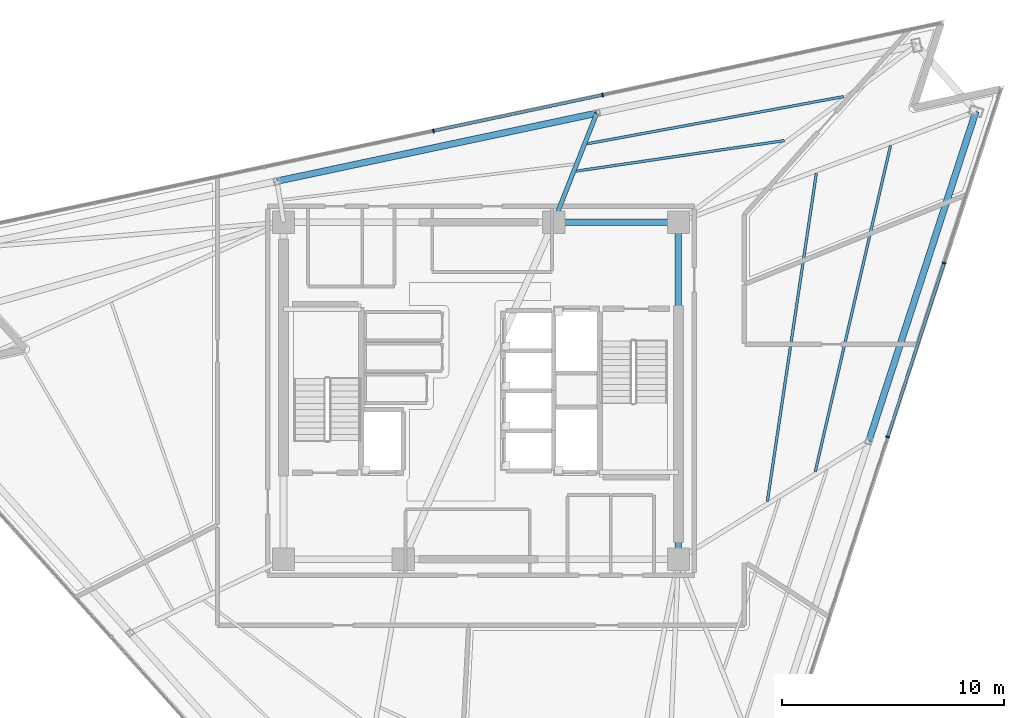
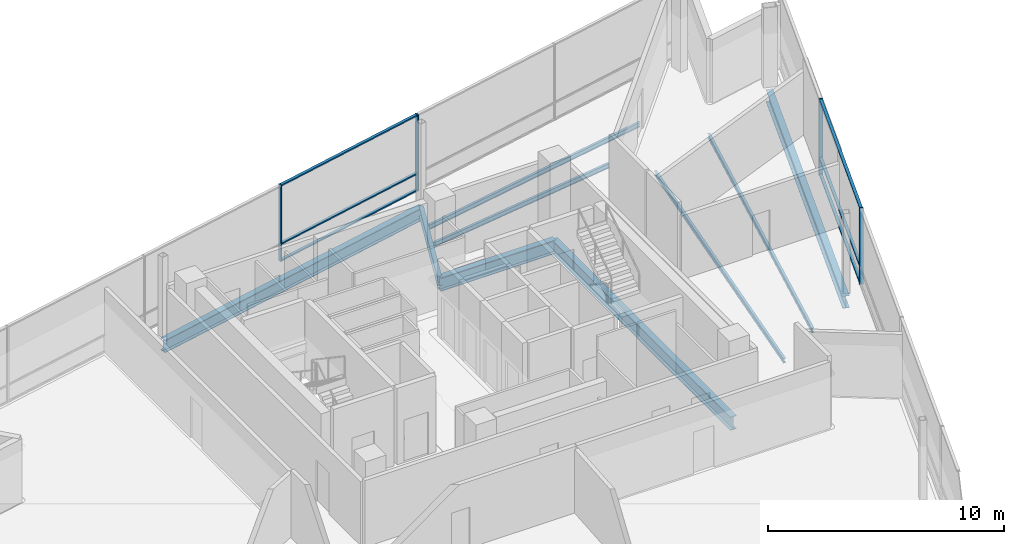
# One storey, part 8 of 17: 10 members, 9 beams, 2 elements without a shape of their own.
"""IFC4 building model written with IfcOpenShell, lengths in metres."""

from ifc_helpers import new_model, si_unit, direction, frame, origin, origin_2d, place, context, subcontext, project, spatial, rectangle, i_section, extrude, material, layer, layer_set, material_profile, profile_set, type_object, element, aggregate, save


model = new_model("IFC4")

# Units and contexts
model_context = context("Model", 3, precision=1e-05, world=origin(), true_north=direction((0.0, 1.0)))
body_context = subcontext(model_context, "Body", "Model", "MODEL_VIEW")
ifc_project = project(units=[si_unit("LENGTHUNIT", "METRE"), si_unit("AREAUNIT", "SQUARE_METRE"), si_unit("VOLUMEUNIT", "CUBIC_METRE"), si_unit("PLANEANGLEUNIT", "RADIAN"), si_unit("MASSUNIT", "GRAM", prefix="KILO")], contexts=[model_context])

# Site, building, storey
site_placement = place(None, origin())
site = spatial("IfcSite", under=ifc_project, at=site_placement, CompositionType="ELEMENT")
building_placement = place(site_placement, origin())
building = spatial("IfcBuilding", under=site, at=building_placement, Name="Tharavind Bronze Gate", CompositionType="ELEMENT")
storey_placement = place(building_placement, frame((0.0, 0.0, 298.0)))
storey = spatial("IfcBuildingStorey", under=building, at=storey_placement, Name="L77", CompositionType="ELEMENT", Elevation=298.0)

# Curtain wall, members
ifc_material_1 = material(Name="Anodised Bronze Aluminium", Category="aluminium")
ifc_layer = layer(ifc_material_1, 0.219970703125)
ifc_layer_set = layer_set([ifc_layer], Name="Anodised Bronze Aluminium")
curtain_wall_type = type_object("IfcCurtainWallType", Name="UNITISED CURTAIN WALL CROWN", PredefinedType="USERDEFINED", material=ifc_layer_set)
curtain_wall_1_placement = place(storey_placement, origin())
curtain_wall_1 = element("IfcCurtainWall", 1, at=curtain_wall_1_placement, inside=storey, type_object=curtain_wall_type, Name="L77 unitised curtain wall crown CW-L77-S2", ObjectType="UNITISED CURTAIN WALL", PredefinedType="USERDEFINED")
member_type_1 = type_object("IfcMemberType", Name="CURTAIN WALL BRONZE MULLION 65X180", PredefinedType="MULLION", material=ifc_material_1)
member_1_placement = place(storey_placement, frame((18.336181640625, -2.08544921875, 0.0), z_axis=(0.0, 0.0, 1.0), x_axis=(0.309016994375, 0.951056516295, 0.0)))
member_1 = element("IfcMember", 2, at=member_1_placement, type_object=member_type_1, Name="CW-L77-S2 mullion 5", PredefinedType="MULLION", context=body_context, shape_type="SweptSolid", body=[
    extrude(rectangle(XDim=0.06494140625, YDim=0.179931640625, at=origin_2d()), origin(), (0.0, 0.0, 1.0), 3.949951171875),
])
member_2_placement = place(storey_placement, frame((20.885009765625, 5.759033203125, 0.0), z_axis=(0.0, 0.0, 1.0), x_axis=(0.309016994375, 0.951056516295, 0.0)))
member_2 = element("IfcMember", 3, at=member_2_placement, type_object=member_type_1, Name="CW-L77-S2 mullion 6", PredefinedType="MULLION", context=body_context, shape_type="SweptSolid", body=[
    extrude(rectangle(XDim=0.06494140625, YDim=0.179931640625, at=origin_2d()), origin(), (0.0, 0.0, 1.0), 3.949951171875),
])

curtain_wall_2_placement = place(storey_placement, origin())
curtain_wall_2 = element("IfcCurtainWall", 4, at=curtain_wall_2_placement, inside=storey, type_object=curtain_wall_type, Name="L77 unitised curtain wall crown CW-L77-S3", ObjectType="UNITISED CURTAIN WALL", PredefinedType="USERDEFINED")
member_3_placement = place(storey_placement, frame((5.487548828125, 13.33740234375, 0.0), z_axis=(0.0, 0.0, 1.0), x_axis=(-0.978147237858, -0.207913398007, 0.0)))
member_3 = element("IfcMember", 5, at=member_3_placement, type_object=member_type_1, Name="CW-L77-S3 mullion 3", PredefinedType="MULLION", context=body_context, shape_type="SweptSolid", body=[
    extrude(rectangle(XDim=0.06494140625, YDim=0.179931640625, at=origin_2d()), origin(), (0.0, 0.0, 1.0), 3.949951171875),
])
member_4_placement = place(storey_placement, frame((-2.14453125, 11.715087890625, 0.0), z_axis=(0.0, 0.0, 1.0), x_axis=(-0.978147237858, -0.207913398007, 0.0)))
member_4 = element("IfcMember", 6, at=member_4_placement, type_object=member_type_1, Name="CW-L77-S3 mullion 4", PredefinedType="MULLION", context=body_context, shape_type="SweptSolid", body=[
    extrude(rectangle(XDim=0.06494140625, YDim=0.179931640625, at=origin_2d()), origin(), (0.0, 0.0, 1.0), 3.949951171875),
])

# Member
member_type_2 = type_object("IfcMemberType", Name="CURTAIN WALL BRONZE TRANSOM 65X140", PredefinedType="USERDEFINED", material=ifc_material_1)
member_5_placement = place(storey_placement, frame((19.610595703125, 1.8369140625, 0.0), z_axis=(0.0, 0.0, 1.0), x_axis=(0.309016994375, 0.951056516295, 0.0)))
member_5 = element("IfcMember", 7, at=member_5_placement, type_object=member_type_2, Name="CW-L77-S2 transom TB5", ObjectType="TRANSOM", PredefinedType="USERDEFINED", context=body_context, shape_type="SweptSolid", body=[
    extrude(rectangle(XDim=8.195068359375, YDim=0.139892578125, at=origin_2d()), origin(), (0.0, 0.0, 1.0), 0.06494140625),
])

member_6_placement = place(storey_placement, frame((19.610595703125, 1.8369140625, 0.867431640625), z_axis=(0.0, 0.0, 1.0), x_axis=(0.309016994375, 0.951056516295, 0.0)))
member_6 = element("IfcMember", 8, at=member_6_placement, type_object=member_type_2, Name="CW-L77-S2 transom TS5", ObjectType="TRANSOM", PredefinedType="USERDEFINED", context=body_context, shape_type="SweptSolid", body=[
    extrude(rectangle(XDim=8.195068359375, YDim=0.139892578125, at=origin_2d()), origin(), (0.0, 0.0, 1.0), 0.06494140625),
])

member_7_placement = place(storey_placement, frame((19.610595703125, 1.8369140625, 3.885009765625), z_axis=(0.0, 0.0, 1.0), x_axis=(0.309016994375, 0.951056516295, 0.0)))
member_7 = element("IfcMember", 9, at=member_7_placement, type_object=member_type_2, Name="CW-L77-S2 transom TT5", ObjectType="TRANSOM", PredefinedType="USERDEFINED", context=body_context, shape_type="SweptSolid", body=[
    extrude(rectangle(XDim=8.195068359375, YDim=0.139892578125, at=origin_2d()), origin(), (0.0, 0.0, 1.0), 0.06494140625),
])

aggregate(curtain_wall_1, [member_1, member_2, member_5, member_6, member_7])

member_8_placement = place(storey_placement, frame((1.67138671875, 12.526123046875, 0.0), z_axis=(0.0, 0.0, 1.0), x_axis=(-0.978147237858, -0.207913398007, 0.0)))
member_8 = element("IfcMember", 10, at=member_8_placement, type_object=member_type_2, Name="CW-L77-S3 transom TB3", ObjectType="TRANSOM", PredefinedType="USERDEFINED", context=body_context, shape_type="SweptSolid", body=[
    extrude(rectangle(XDim=7.749755859375, YDim=0.139892578125, at=origin_2d()), origin(), (0.0, 0.0, 1.0), 0.06494140625),
])

member_9_placement = place(storey_placement, frame((1.67138671875, 12.526123046875, 0.867431640625), z_axis=(0.0, 0.0, 1.0), x_axis=(-0.978147237858, -0.207913398007, 0.0)))
member_9 = element("IfcMember", 11, at=member_9_placement, type_object=member_type_2, Name="CW-L77-S3 transom TS3", ObjectType="TRANSOM", PredefinedType="USERDEFINED", context=body_context, shape_type="SweptSolid", body=[
    extrude(rectangle(XDim=7.749755859375, YDim=0.139892578125, at=origin_2d()), origin(), (0.0, 0.0, 1.0), 0.06494140625),
])

member_10_placement = place(storey_placement, frame((1.67138671875, 12.526123046875, 3.885009765625), z_axis=(0.0, 0.0, 1.0), x_axis=(-0.978147237858, -0.207913398007, 0.0)))
member_10 = element("IfcMember", 12, at=member_10_placement, type_object=member_type_2, Name="CW-L77-S3 transom TT3", ObjectType="TRANSOM", PredefinedType="USERDEFINED", context=body_context, shape_type="SweptSolid", body=[
    extrude(rectangle(XDim=7.749755859375, YDim=0.139892578125, at=origin_2d()), origin(), (0.0, 0.0, 1.0), 0.06494140625),
])

aggregate(curtain_wall_2, [member_3, member_4, member_8, member_9, member_10])

# Beams
ifc_material_2 = material(Name="Steel S355", Category="steel")
ifc_material_profile_1 = material_profile(ifc_material_2, i_section(OverallWidth=0.300048828125, OverallDepth=0.64990234375, WebThickness=0.01611328125, FlangeThickness=0.031005859375, at=origin_2d()), Name="HE650B")
ifc_profile_set_1 = profile_set([ifc_material_profile_1], Name="Steel S355")
beam_type_1 = type_object("IfcBeamType", Name="PRIMARY GIRDER HE650B", PredefinedType="USERDEFINED", material=ifc_profile_set_1)
beam_1_placement = place(storey_placement, frame((17.4892578125, -2.265380859375, -0.52490234375), z_axis=(0.309011547215, 0.951058286168, 0.0), x_axis=(-0.951058286168, 0.309011547215, 0.0)))
element("IfcBeam", 13, at=beam_1_placement, inside=storey, type_object=beam_type_1, Name="L77 primary girder he650b BM-L77-PRG07", ObjectType="GIRDER", PredefinedType="USERDEFINED", context=body_context, shape_type="SweptSolid", body=[
    extrude(i_section(OverallWidth=0.300048828125, OverallDepth=0.64990234375, WebThickness=0.01611328125, FlangeThickness=0.031005859375, at=origin_2d()), origin(), (0.0, 0.0, 1.0), 15.6298828125),
])
beam_2_placement = place(storey_placement, frame((5.219970703125, 12.513671875, -0.52490234375), z_axis=(-0.97814794647, -0.207910064249, 0.0), x_axis=(0.207910064249, -0.97814794647, 0.0)))
element("IfcBeam", 14, at=beam_2_placement, inside=storey, type_object=beam_type_1, Name="L77 primary girder he650b BM-L77-PRG10", ObjectType="GIRDER", PredefinedType="USERDEFINED", context=body_context, shape_type="SweptSolid", body=[
    extrude(i_section(OverallWidth=0.300048828125, OverallDepth=0.64990234375, WebThickness=0.01611328125, FlangeThickness=0.031005859375, at=origin_2d()), origin(), (0.0, 0.0, 1.0), 14.7392578125),
])
ifc_material_profile_2 = material_profile(ifc_material_2, i_section(OverallWidth=0.199951171875, OverallDepth=0.5, WebThickness=0.01025390625, FlangeThickness=0.01611328125, at=origin_2d()), Name="IPE500")
ifc_profile_set_2 = profile_set([ifc_material_profile_2], Name="Steel S355")
beam_type_2 = type_object("IfcBeamType", Name="PRIMARY GIRDER IPE500", PredefinedType="USERDEFINED", material=ifc_profile_set_2)
beam_3_placement = place(storey_placement, frame((5.219970703125, 12.513671875, -0.449951171875), z_axis=(-0.367227563748, -0.930131128618, 0.0), x_axis=(0.930131128618, -0.367227563748, 0.0)))
element("IfcBeam", 15, at=beam_3_placement, inside=storey, type_object=beam_type_2, Name="L77 primary girder ipe500 BM-L77-RAD10", ObjectType="GIRDER", PredefinedType="USERDEFINED", context=body_context, shape_type="SweptSolid", body=[
    extrude(i_section(OverallWidth=0.199951171875, OverallDepth=0.5, WebThickness=0.01025390625, FlangeThickness=0.01611328125, at=origin_2d()), origin(), (0.0, 0.0, 1.0), 5.28271484375),
])
ifc_material_profile_3 = material_profile(ifc_material_2, i_section(OverallWidth=0.300048828125, OverallDepth=0.699951171875, WebThickness=0.01708984375, FlangeThickness=0.031982421875, at=origin_2d()), Name="HE700B")
ifc_profile_set_3 = profile_set([ifc_material_profile_3], Name="Steel S355")
beam_type_3 = type_object("IfcBeamType", Name="RING GIRDER HE700B", PredefinedType="USERDEFINED", material=ifc_profile_set_3)
beam_4_placement = place(storey_placement, frame((8.89990234375, -7.60009765625, -0.550048828125), z_axis=(0.0, 1.0, 0.0), x_axis=(-1.0, 0.0, 0.0)))
element("IfcBeam", 16, at=beam_4_placement, inside=storey, type_object=beam_type_3, Name="L77 ring girder he700b BM-L77-CR3", ObjectType="GIRDER", PredefinedType="USERDEFINED", context=body_context, shape_type="SweptSolid", body=[
    extrude(i_section(OverallWidth=0.300048828125, OverallDepth=0.699951171875, WebThickness=0.01708984375, FlangeThickness=0.031982421875, at=origin_2d()), origin(), (0.0, 0.0, 1.0), 15.2001953125),
])
beam_5_placement = place(storey_placement, frame((8.89990234375, 7.60009765625, -0.550048828125), z_axis=(-1.0, 0.0, 0.0), x_axis=(0.0, -1.0, 0.0)))
element("IfcBeam", 17, at=beam_5_placement, inside=storey, type_object=beam_type_3, Name="L77 ring girder he700b BM-L77-CR4", ObjectType="GIRDER", PredefinedType="USERDEFINED", context=body_context, shape_type="SweptSolid", body=[
    extrude(i_section(OverallWidth=0.300048828125, OverallDepth=0.699951171875, WebThickness=0.01708984375, FlangeThickness=0.031982421875, at=origin_2d()), origin(), (0.0, 0.0, 1.0), 5.619873046875),
])
ifc_material_profile_4 = material_profile(ifc_material_2, i_section(OverallWidth=0.1201171875, OverallDepth=0.239990234375, WebThickness=0.006103515625, FlangeThickness=0.009765625, at=origin_2d()), Name="IPE240")
ifc_profile_set_4 = profile_set([ifc_material_profile_4], Name="Steel S355")
beam_type_4 = type_object("IfcBeamType", Name="SECONDARY FLOOR JOIST IPE240", PredefinedType="JOIST", material=ifc_profile_set_4)
beam_6_placement = place(storey_placement, frame((12.913818359375, -4.985595703125, -0.320068359375), z_axis=(0.147668368553, 0.989036932035, 0.0), x_axis=(-0.989036932035, 0.147668368553, 0.0)))
element("IfcBeam", 18, at=beam_6_placement, inside=storey, type_object=beam_type_4, Name="L77 secondary floor joist ipe240 BM-L77-JSTA07", PredefinedType="JOIST", context=body_context, shape_type="SweptSolid", body=[
    extrude(i_section(OverallWidth=0.1201171875, OverallDepth=0.239990234375, WebThickness=0.006103515625, FlangeThickness=0.009765625, at=origin_2d()), origin(), (0.0, 0.0, 1.0), 14.95751953125),
])
beam_7_placement = place(storey_placement, frame((15.073974609375, -3.644287109375, -0.320068359375), z_axis=(0.224913878483, 0.974378646762, 0.0), x_axis=(-0.974378646762, 0.224913878483, 0.0)))
element("IfcBeam", 19, at=beam_7_placement, inside=storey, type_object=beam_type_4, Name="L77 secondary floor joist ipe240 BM-L77-JSTB07", PredefinedType="JOIST", context=body_context, shape_type="SweptSolid", body=[
    extrude(i_section(OverallWidth=0.1201171875, OverallDepth=0.239990234375, WebThickness=0.006103515625, FlangeThickness=0.009765625, at=origin_2d()), origin(), (0.0, 0.0, 1.0), 15.0849609375),
])
beam_8_placement = place(storey_placement, frame((13.679931640625, 11.278564453125, -0.320068359375), z_axis=(-0.989403029467, -0.145195197172, 0.0), x_axis=(0.145195197172, -0.989403029467, 0.0)))
element("IfcBeam", 20, at=beam_8_placement, inside=storey, type_object=beam_type_4, Name="L77 secondary floor joist ipe240 BM-L77-JSTA09", PredefinedType="JOIST", context=body_context, shape_type="SweptSolid", body=[
    extrude(i_section(OverallWidth=0.1201171875, OverallDepth=0.239990234375, WebThickness=0.006103515625, FlangeThickness=0.009765625, at=origin_2d()), origin(), (0.0, 0.0, 1.0), 9.47998046875),
])
beam_9_placement = place(storey_placement, frame((16.350341796875, 13.2626953125, -0.320068359375), z_axis=(-0.983492984131, -0.180946263195, 0.0), x_axis=(0.180946263195, -0.983492984131, 0.0)))
element("IfcBeam", 21, at=beam_9_placement, inside=storey, type_object=beam_type_4, Name="L77 secondary floor joist ipe240 BM-L77-JSTB09", PredefinedType="JOIST", context=body_context, shape_type="SweptSolid", body=[
    extrude(i_section(OverallWidth=0.1201171875, OverallDepth=0.239990234375, WebThickness=0.006103515625, FlangeThickness=0.009765625, at=origin_2d()), origin(), (0.0, 0.0, 1.0), 11.75732421875),
])

save(model, "model.ifc")
